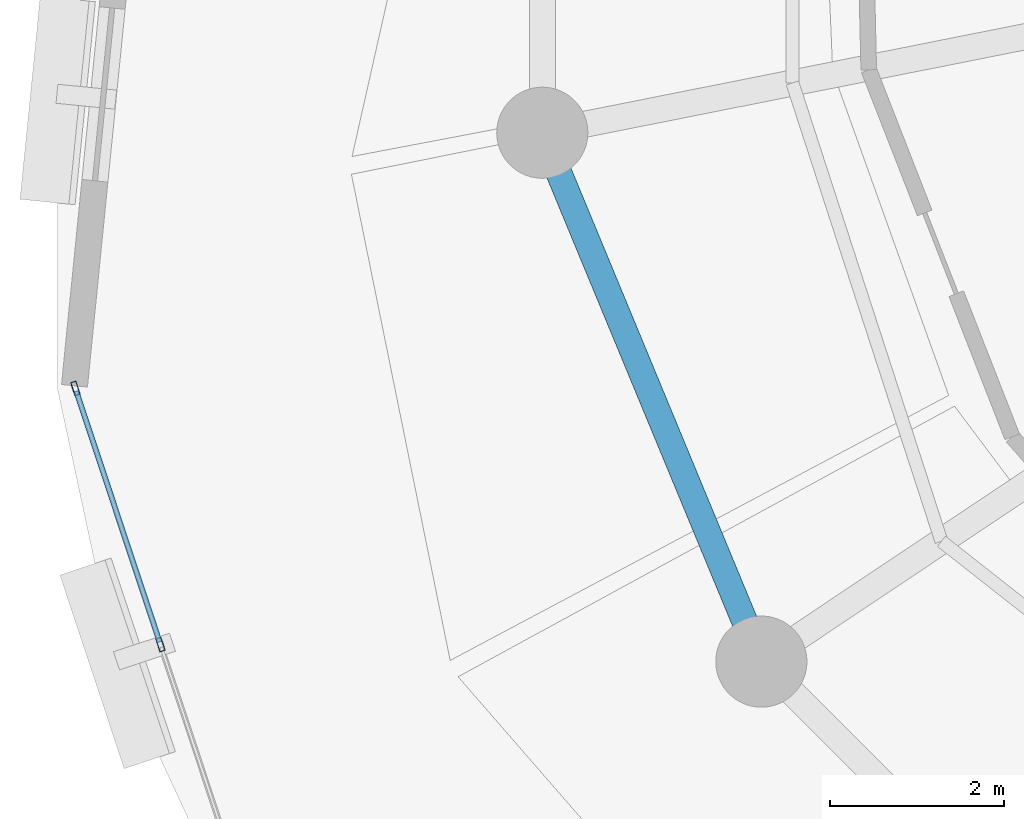
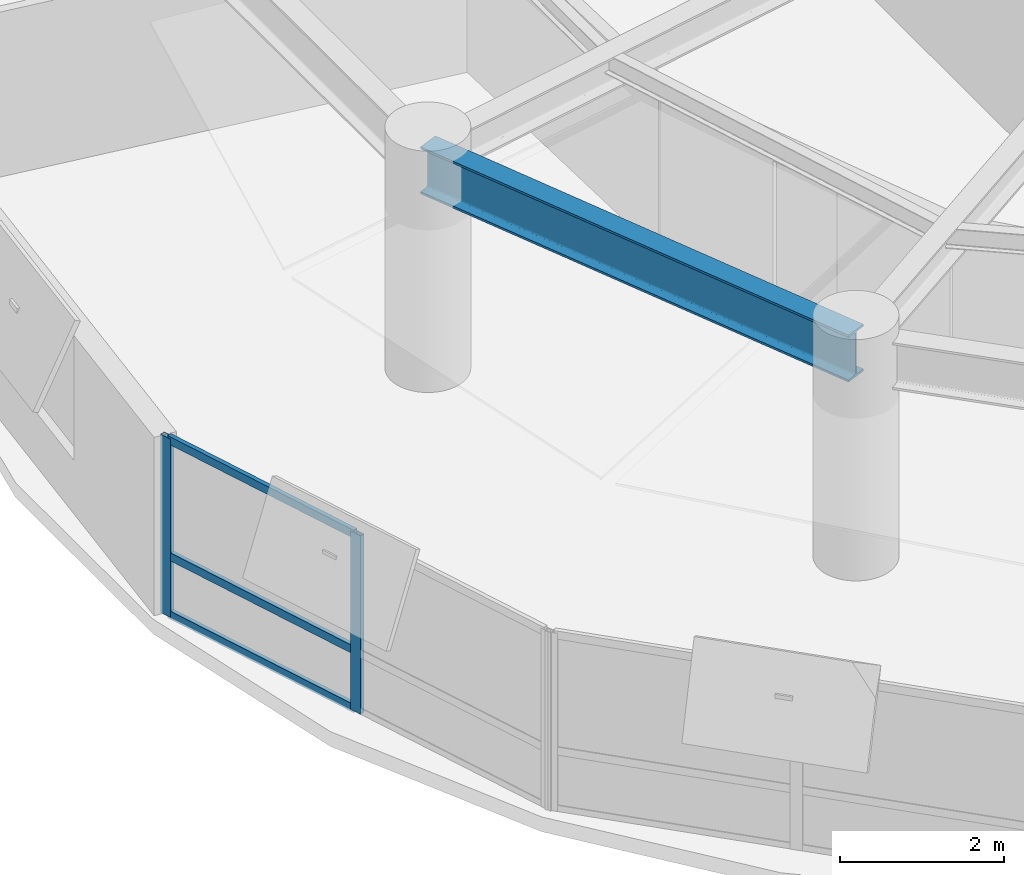
# One storey, part 4 of 15: 5 members, 1 beam, 1 element without a shape of its own.
"""IFC4 building model written with IfcOpenShell, lengths in metres."""

from ifc_helpers import new_model, si_unit, direction, frame, origin, origin_2d, place, context, subcontext, project, spatial, hollow_rectangle, i_section, extrude, material, layer, layer_set, material_profile, profile_set, type_object, element, aggregate, save


model = new_model("IFC4")

# Units and contexts
model_context = context("Model", 3, precision=1e-05, world=origin(), true_north=direction((0.0, 1.0)))
body_context = subcontext(model_context, "Body", "Model", "MODEL_VIEW")
ifc_project = project(units=[si_unit("LENGTHUNIT", "METRE"), si_unit("AREAUNIT", "SQUARE_METRE"), si_unit("VOLUMEUNIT", "CUBIC_METRE"), si_unit("PLANEANGLEUNIT", "RADIAN"), si_unit("MASSUNIT", "GRAM", prefix="KILO"), si_unit("THERMODYNAMICTEMPERATUREUNIT", "KELVIN"), si_unit("POWERUNIT", "WATT")], contexts=[model_context])

# Site, building, storey
site_placement = place(None, origin())
site = spatial("IfcSite", under=ifc_project, at=site_placement, CompositionType="ELEMENT")
building_placement = place(site_placement, origin())
building = spatial("IfcBuilding", under=site, at=building_placement, Name="Ocrelia Relay Tower", CompositionType="ELEMENT")
storey_placement = place(building_placement, frame((0.0, 0.0, 166.39990234375)))
storey = spatial("IfcBuildingStorey", under=building, at=storey_placement, Name="L39", CompositionType="ELEMENT", Elevation=166.39990234375)

# Beam
ifc_material_1 = material(Name="Steel S355", Category="steel")
ifc_material_profile_1 = material_profile(ifc_material_1, i_section(OverallWidth=0.300048828125, OverallDepth=0.699951171875, WebThickness=0.01708984375, FlangeThickness=0.031982421875, FilletRadius=0.027099609375, at=origin_2d()), Name="HEB 700")
ifc_profile_set_1 = profile_set([ifc_material_profile_1], Name="Steel S355")
beam_type = type_object("IfcBeamType", Name="BM-HEB700", PredefinedType="BEAM", material=ifc_profile_set_1)
beam_placement = place(storey_placement, frame((17.4248046875, 22.702880859375, 3.030029296875), z_axis=(0.382687508402, -0.923877844151, 0.0), x_axis=(0.923877844151, 0.382687508402, 0.0)))
element("IfcBeam", 1, at=beam_placement, inside=storey, type_object=beam_type, Name="L39 Perimeter Spandrel Beam S09", PredefinedType="BEAM", context=body_context, shape_type="SweptSolid", body=[
    extrude(i_section(OverallWidth=0.300048828125, OverallDepth=0.699951171875, WebThickness=0.01708984375, FlangeThickness=0.031982421875, FilletRadius=0.027099609375, at=origin_2d()), origin(), (0.0, 0.0, 1.0), 6.593994140625),
])

# Curtain wall, members
ifc_material_2 = material(Name="Aluminium and solar-control low-E glass", Category="aluminium")
ifc_layer = layer(ifc_material_2, 0.179931640625, Name="Aluminium and solar-control low-E glass")
ifc_layer_set = layer_set([ifc_layer], Name="Aluminium and solar-control low-E glass")
curtain_wall_type = type_object("IfcCurtainWallType", Name="CW-SYS-Z3-CLOU", PredefinedType="NOTDEFINED", material=ifc_layer_set)
curtain_wall_placement = place(storey_placement, origin())
curtain_wall = element("IfcCurtainWall", 2, at=curtain_wall_placement, inside=storey, type_object=curtain_wall_type, Name="L39 Elliptical Tower Curtain Wall Bay 09", PredefinedType="NOTDEFINED")
ifc_material_3 = material(Name="Anodised bronze aluminium", Category="aluminium")
ifc_material_profile_2 = material_profile(ifc_material_3, hollow_rectangle(XDim=0.06494140625, YDim=0.159912109375, WallThickness=0.0048828125, at=origin_2d()), Name="CW-MUL-160x65")
ifc_profile_set_2 = profile_set([ifc_material_profile_2], Name="Anodised bronze aluminium")
member_type_1 = type_object("IfcMemberType", Name="CW-SYS-Z3-CLOU-MUL", PredefinedType="MULLION", material=ifc_profile_set_2)
member_1_placement = place(storey_placement, frame((12.046630859375, 19.757568359375, 0.0), z_axis=(0.0, 0.0, 1.0), x_axis=(0.949042399138, 0.315148416844, 0.0)))
member_1 = element("IfcMember", 3, at=member_1_placement, type_object=member_type_1, Name="CW-Z3 mullion 1", PredefinedType="MULLION", context=body_context, shape_type="SweptSolid", body=[
    extrude(hollow_rectangle(XDim=0.06494140625, YDim=0.159912109375, WallThickness=0.0048828125, at=origin_2d()), origin(), (0.0, 0.0, 1.0), 2.66015625),
])
member_2_placement = place(storey_placement, frame((13.0263671875, 16.80712890625, 0.0), z_axis=(0.0, 0.0, 1.0), x_axis=(0.949042399138, 0.315148416844, 0.0)))
member_2 = element("IfcMember", 4, at=member_2_placement, type_object=member_type_1, Name="CW-Z3 mullion 2", PredefinedType="MULLION", context=body_context, shape_type="SweptSolid", body=[
    extrude(hollow_rectangle(XDim=0.06494140625, YDim=0.159912109375, WallThickness=0.0048828125, at=origin_2d()), origin(), (0.0, 0.0, 1.0), 2.66015625),
])
ifc_material_profile_3 = material_profile(ifc_material_3, hollow_rectangle(XDim=0.06005859375, YDim=0.1201171875, WallThickness=0.0048828125, at=origin_2d()), Name="CW-TRN-120x60")
ifc_profile_set_3 = profile_set([ifc_material_profile_3], Name="Anodised bronze aluminium")
member_type_2 = type_object("IfcMemberType", Name="CW-SYS-Z3-CLOU-TRN", PredefinedType="USERDEFINED", material=ifc_profile_set_3)
member_3_placement = place(storey_placement, frame((12.056884765625, 19.726806640625, 0.030029296875), z_axis=(0.315120738332, -0.94905158989, 0.0), x_axis=(0.94905158989, 0.315120738332, 0.0)))
member_3 = element("IfcMember", 5, at=member_3_placement, type_object=member_type_2, Name="CW-Z3 transom 1.1", ObjectType="TRANSOM", PredefinedType="USERDEFINED", context=body_context, shape_type="SweptSolid", body=[
    extrude(hollow_rectangle(XDim=0.06005859375, YDim=0.1201171875, WallThickness=0.0048828125, at=origin_2d()), origin(), (0.0, 0.0, 1.0), 3.0439453125),
])
member_4_placement = place(storey_placement, frame((12.056884765625, 19.726806640625, 0.900146484375), z_axis=(0.315120738332, -0.94905158989, 0.0), x_axis=(0.94905158989, 0.315120738332, 0.0)))
member_4 = element("IfcMember", 6, at=member_4_placement, type_object=member_type_2, Name="CW-Z3 transom 1.2", ObjectType="TRANSOM", PredefinedType="USERDEFINED", context=body_context, shape_type="SweptSolid", body=[
    extrude(hollow_rectangle(XDim=0.06005859375, YDim=0.1201171875, WallThickness=0.0048828125, at=origin_2d()), origin(), (0.0, 0.0, 1.0), 3.0439453125),
])
member_5_placement = place(storey_placement, frame((12.056884765625, 19.726806640625, 2.630126953125), z_axis=(0.315120738332, -0.94905158989, 0.0), x_axis=(0.94905158989, 0.315120738332, 0.0)))
member_5 = element("IfcMember", 7, at=member_5_placement, type_object=member_type_2, Name="CW-Z3 transom 1.3", ObjectType="TRANSOM", PredefinedType="USERDEFINED", context=body_context, shape_type="SweptSolid", body=[
    extrude(hollow_rectangle(XDim=0.06005859375, YDim=0.1201171875, WallThickness=0.0048828125, at=origin_2d()), origin(), (0.0, 0.0, 1.0), 3.0439453125),
])
aggregate(curtain_wall, [member_1, member_2, member_3, member_4, member_5])

save(model, "model.ifc")
